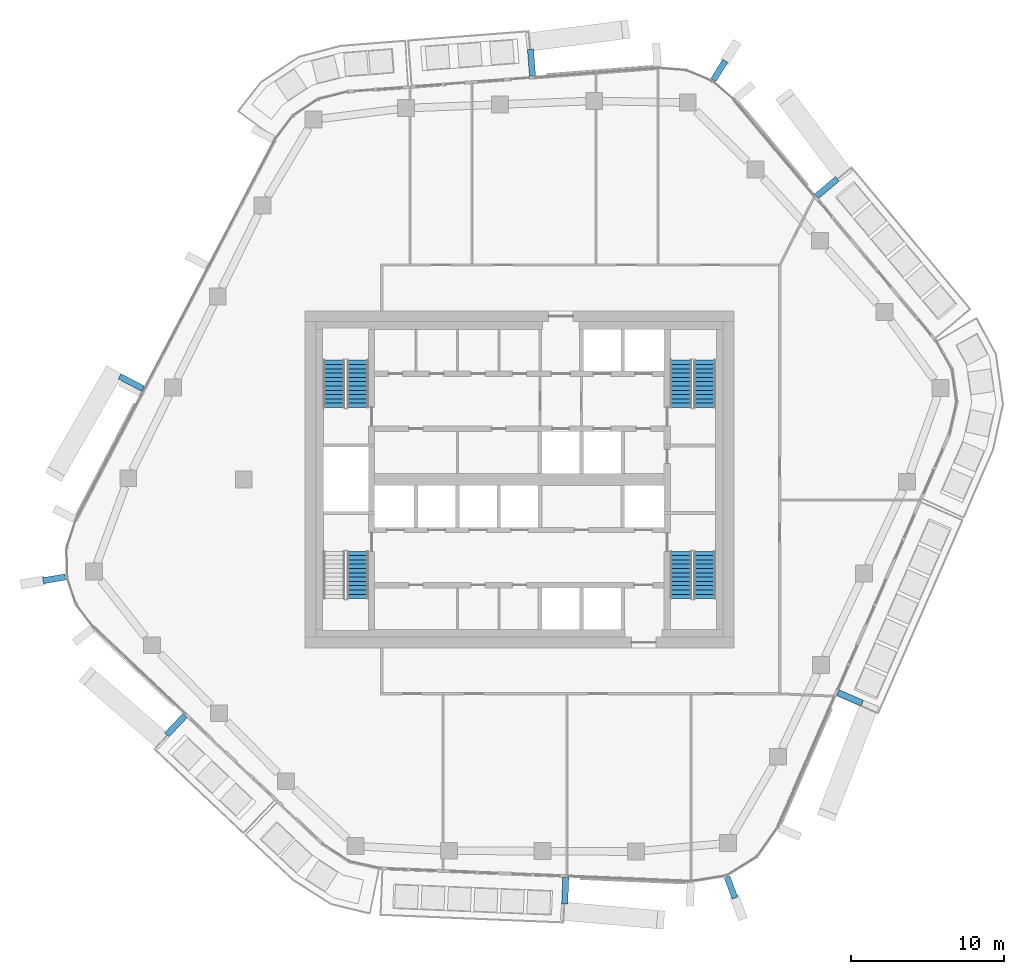
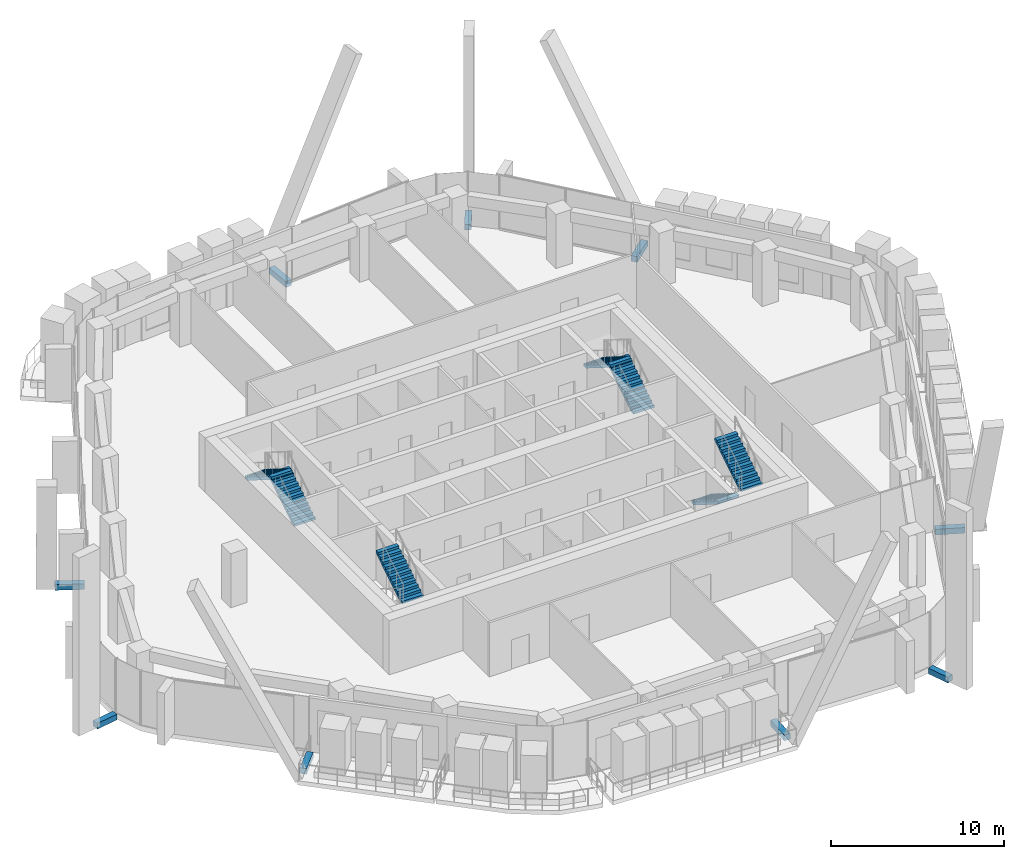
# One storey, part 14 of 20: 9 discrete accessories, 7 stair flights, 4 elements without a shape of their own.
"""IFC4 building model written with IfcOpenShell, lengths in metres."""

from ifc_helpers import new_model, si_unit, direction, frame, origin, origin_2d, place, context, subcontext, project, spatial, polyline, rectangle, outline, extrude, material, layer, layer_set, type_object, element, aggregate, save


model = new_model("IFC4")

# Units and contexts
model_context = context("Model", 3, precision=1e-05, world=origin(), true_north=direction((0.0, 1.0)))
body_context = subcontext(model_context, "Body", "Model", "MODEL_VIEW")
ifc_project = project(units=[si_unit("LENGTHUNIT", "METRE"), si_unit("AREAUNIT", "SQUARE_METRE"), si_unit("VOLUMEUNIT", "CUBIC_METRE"), si_unit("PLANEANGLEUNIT", "RADIAN"), si_unit("MASSUNIT", "GRAM", prefix="KILO")], contexts=[model_context])

# Site, building, storey
site_placement = place(None, origin())
site = spatial("IfcSite", under=ifc_project, at=site_placement, CompositionType="ELEMENT")
building_placement = place(site_placement, origin())
building = spatial("IfcBuilding", under=site, at=building_placement, Name="Dongbaek Canopy Tower", CompositionType="ELEMENT")
storey_placement = place(building_placement, frame((0.0, 0.0, 241.199951171875)))
storey = spatial("IfcBuildingStorey", under=building, at=storey_placement, Name="L50", CompositionType="ELEMENT", Elevation=241.199951171875)

# Stair, stair flights
ifc_material_1 = material(Name="Concrete C40/50", Category="concrete")
stair_type = type_object("IfcStairType", Name="Core exit stair", PredefinedType="HALF_TURN_STAIR", material=ifc_material_1)
stair_1_placement = place(storey_placement, origin())
stair_1 = element("IfcStair", 1, at=stair_1_placement, inside=storey, type_object=stair_type, Name="L50 exit stair A", PredefinedType="HALF_TURN_STAIR")
ifc_material_2 = material(Name="Concrete C40/50", Category="concrete")
ifc_layer = layer(ifc_material_2, 0.14990234375)
ifc_layer_set = layer_set([ifc_layer], Name="Core stair flight 150 waist")
stair_flight_type = type_object("IfcStairFlightType", Name="Core stair flight 150 waist", PredefinedType="STRAIGHT", material=ifc_layer_set)
stair_flight_1_placement = place(storey_placement, frame((12.10009765625, 4.699951171875, 0.0), z_axis=(0.0, 0.0, 1.0), x_axis=(0.0, 1.0, 0.0)))
stair_flight_1 = element("IfcStairFlight", 2, at=stair_flight_1_placement, type_object=stair_flight_type, Name="ST-A flight 1", NumberOfRisers=12, NumberOfTreads=11, PredefinedType="STRAIGHT", RiserHeight=0.175, TreadLength=0.28, context=body_context, shape_type="SweptSolid", body=[
    extrude(outline(polyline([(0.0, 0.0), (0.0, 0.175048828125), (0.280029296875, 0.175048828125), (0.280029296875, 0.35009765625), (0.56005859375, 0.35009765625), (0.56005859375, 0.52490234375), (0.840087890625, 0.52490234375), (0.840087890625, 0.699951171875), (1.1201171875, 0.699951171875), (1.1201171875, 0.875), (1.39990234375, 0.875), (1.39990234375, 1.050048828125), (1.679931640625, 1.050048828125), (1.679931640625, 1.22509765625), (1.9599609375, 1.22509765625), (1.9599609375, 1.39990234375), (2.239990234375, 1.39990234375), (2.239990234375, 1.574951171875), (2.52001953125, 1.574951171875), (2.52001953125, 1.75), (2.800048828125, 1.75), (2.800048828125, 1.925048828125), (3.080078125, 1.925048828125), (3.080078125, 2.10009765625), (3.080078125, 1.748291015625), (0.28271484375, 0.0), (0.0, 0.0)])), frame((0.0, 0.699951171875, 0.0), z_axis=(0.0, -1.0, 0.0), x_axis=(1.0, 0.0, 0.0)), (0.0, 0.0, 1.0), 1.39990234375),
])
stair_flight_2_placement = place(storey_placement, frame((10.550048828125, 7.780029296875, 2.10009765625), z_axis=(0.0, 0.0, 1.0), x_axis=(0.0, -1.0, 0.0)))
stair_flight_2 = element("IfcStairFlight", 3, at=stair_flight_2_placement, type_object=stair_flight_type, Name="ST-A flight 2", NumberOfRisers=12, NumberOfTreads=11, PredefinedType="STRAIGHT", RiserHeight=0.175, TreadLength=0.28, context=body_context, shape_type="SweptSolid", body=[
    extrude(outline(polyline([(0.0, 0.0), (0.0, 0.175048828125), (0.280029296875, 0.175048828125), (0.280029296875, 0.35009765625), (0.56005859375, 0.35009765625), (0.56005859375, 0.52490234375), (0.840087890625, 0.52490234375), (0.840087890625, 0.699951171875), (1.1201171875, 0.699951171875), (1.1201171875, 0.875), (1.39990234375, 0.875), (1.39990234375, 1.050048828125), (1.679931640625, 1.050048828125), (1.679931640625, 1.22509765625), (1.9599609375, 1.22509765625), (1.9599609375, 1.39990234375), (2.239990234375, 1.39990234375), (2.239990234375, 1.574951171875), (2.52001953125, 1.574951171875), (2.52001953125, 1.75), (2.800048828125, 1.75), (2.800048828125, 1.925048828125), (3.080078125, 1.925048828125), (3.080078125, 2.10009765625), (3.080078125, 1.748291015625), (0.28271484375, 0.0), (0.0, 0.0)])), frame((0.0, 0.699951171875, 0.0), z_axis=(0.0, -1.0, 0.0), x_axis=(1.0, 0.0, 0.0)), (0.0, 0.0, 1.0), 1.39990234375),
])
aggregate(stair_1, [stair_flight_1, stair_flight_2])

stair_2_placement = place(storey_placement, origin())
stair_2 = element("IfcStair", 4, at=stair_2_placement, inside=storey, type_object=stair_type, Name="L50 exit stair C", PredefinedType="HALF_TURN_STAIR")
stair_flight_3_placement = place(storey_placement, frame((-10.550048828125, 4.699951171875, 0.0), z_axis=(0.0, 0.0, 1.0), x_axis=(0.0, 1.0, 0.0)))
stair_flight_3 = element("IfcStairFlight", 5, at=stair_flight_3_placement, type_object=stair_flight_type, Name="ST-C flight 1", NumberOfRisers=12, NumberOfTreads=11, PredefinedType="STRAIGHT", RiserHeight=0.175, TreadLength=0.28, context=body_context, shape_type="SweptSolid", body=[
    extrude(outline(polyline([(0.0, 0.0), (0.0, 0.175048828125), (0.280029296875, 0.175048828125), (0.280029296875, 0.35009765625), (0.56005859375, 0.35009765625), (0.56005859375, 0.52490234375), (0.840087890625, 0.52490234375), (0.840087890625, 0.699951171875), (1.1201171875, 0.699951171875), (1.1201171875, 0.875), (1.39990234375, 0.875), (1.39990234375, 1.050048828125), (1.679931640625, 1.050048828125), (1.679931640625, 1.22509765625), (1.9599609375, 1.22509765625), (1.9599609375, 1.39990234375), (2.239990234375, 1.39990234375), (2.239990234375, 1.574951171875), (2.52001953125, 1.574951171875), (2.52001953125, 1.75), (2.800048828125, 1.75), (2.800048828125, 1.925048828125), (3.080078125, 1.925048828125), (3.080078125, 2.10009765625), (3.080078125, 1.748291015625), (0.28271484375, 0.0), (0.0, 0.0)])), frame((0.0, 0.699951171875, 0.0), z_axis=(0.0, -1.0, 0.0), x_axis=(1.0, 0.0, 0.0)), (0.0, 0.0, 1.0), 1.39990234375),
])
stair_flight_4_placement = place(storey_placement, frame((-12.10009765625, 7.780029296875, 2.10009765625), z_axis=(0.0, 0.0, 1.0), x_axis=(0.0, -1.0, 0.0)))
stair_flight_4 = element("IfcStairFlight", 6, at=stair_flight_4_placement, type_object=stair_flight_type, Name="ST-C flight 2", NumberOfRisers=12, NumberOfTreads=11, PredefinedType="STRAIGHT", RiserHeight=0.175, TreadLength=0.28, context=body_context, shape_type="SweptSolid", body=[
    extrude(outline(polyline([(0.0, 0.0), (0.0, 0.175048828125), (0.280029296875, 0.175048828125), (0.280029296875, 0.35009765625), (0.56005859375, 0.35009765625), (0.56005859375, 0.52490234375), (0.840087890625, 0.52490234375), (0.840087890625, 0.699951171875), (1.1201171875, 0.699951171875), (1.1201171875, 0.875), (1.39990234375, 0.875), (1.39990234375, 1.050048828125), (1.679931640625, 1.050048828125), (1.679931640625, 1.22509765625), (1.9599609375, 1.22509765625), (1.9599609375, 1.39990234375), (2.239990234375, 1.39990234375), (2.239990234375, 1.574951171875), (2.52001953125, 1.574951171875), (2.52001953125, 1.75), (2.800048828125, 1.75), (2.800048828125, 1.925048828125), (3.080078125, 1.925048828125), (3.080078125, 2.10009765625), (3.080078125, 1.748291015625), (0.28271484375, 0.0), (0.0, 0.0)])), frame((0.0, 0.699951171875, 0.0), z_axis=(0.0, -1.0, 0.0), x_axis=(1.0, 0.0, 0.0)), (0.0, 0.0, 1.0), 1.39990234375),
])
aggregate(stair_2, [stair_flight_3, stair_flight_4])

stair_3_placement = place(storey_placement, origin())
stair_3 = element("IfcStair", 7, at=stair_3_placement, inside=storey, type_object=stair_type, Name="L50 exit stair B", PredefinedType="HALF_TURN_STAIR")
stair_flight_5_placement = place(storey_placement, frame((10.550048828125, -4.699951171875, 0.0), z_axis=(0.0, 0.0, 1.0), x_axis=(0.0, -1.0, 0.0)))
stair_flight_5 = element("IfcStairFlight", 8, at=stair_flight_5_placement, type_object=stair_flight_type, Name="ST-B flight 1", NumberOfRisers=12, NumberOfTreads=11, PredefinedType="STRAIGHT", RiserHeight=0.175, TreadLength=0.28, context=body_context, shape_type="SweptSolid", body=[
    extrude(outline(polyline([(0.0, 0.0), (0.0, 0.175048828125), (0.280029296875, 0.175048828125), (0.280029296875, 0.35009765625), (0.56005859375, 0.35009765625), (0.56005859375, 0.52490234375), (0.840087890625, 0.52490234375), (0.840087890625, 0.699951171875), (1.1201171875, 0.699951171875), (1.1201171875, 0.875), (1.39990234375, 0.875), (1.39990234375, 1.050048828125), (1.679931640625, 1.050048828125), (1.679931640625, 1.22509765625), (1.9599609375, 1.22509765625), (1.9599609375, 1.39990234375), (2.239990234375, 1.39990234375), (2.239990234375, 1.574951171875), (2.52001953125, 1.574951171875), (2.52001953125, 1.75), (2.800048828125, 1.75), (2.800048828125, 1.925048828125), (3.080078125, 1.925048828125), (3.080078125, 2.10009765625), (3.080078125, 1.748291015625), (0.28271484375, 0.0), (0.0, 0.0)])), frame((0.0, 0.699951171875, 0.0), z_axis=(0.0, -1.0, 0.0), x_axis=(1.0, 0.0, 0.0)), (0.0, 0.0, 1.0), 1.39990234375),
])
stair_flight_6_placement = place(storey_placement, frame((12.10009765625, -7.780029296875, 2.10009765625), z_axis=(0.0, 0.0, 1.0), x_axis=(0.0, 1.0, 0.0)))
stair_flight_6 = element("IfcStairFlight", 9, at=stair_flight_6_placement, type_object=stair_flight_type, Name="ST-B flight 2", NumberOfRisers=12, NumberOfTreads=11, PredefinedType="STRAIGHT", RiserHeight=0.175, TreadLength=0.28, context=body_context, shape_type="SweptSolid", body=[
    extrude(outline(polyline([(0.0, 0.0), (0.0, 0.175048828125), (0.280029296875, 0.175048828125), (0.280029296875, 0.35009765625), (0.56005859375, 0.35009765625), (0.56005859375, 0.52490234375), (0.840087890625, 0.52490234375), (0.840087890625, 0.699951171875), (1.1201171875, 0.699951171875), (1.1201171875, 0.875), (1.39990234375, 0.875), (1.39990234375, 1.050048828125), (1.679931640625, 1.050048828125), (1.679931640625, 1.22509765625), (1.9599609375, 1.22509765625), (1.9599609375, 1.39990234375), (2.239990234375, 1.39990234375), (2.239990234375, 1.574951171875), (2.52001953125, 1.574951171875), (2.52001953125, 1.75), (2.800048828125, 1.75), (2.800048828125, 1.925048828125), (3.080078125, 1.925048828125), (3.080078125, 2.10009765625), (3.080078125, 1.748291015625), (0.28271484375, 0.0), (0.0, 0.0)])), frame((0.0, 0.699951171875, 0.0), z_axis=(0.0, -1.0, 0.0), x_axis=(1.0, 0.0, 0.0)), (0.0, 0.0, 1.0), 1.39990234375),
])
aggregate(stair_3, [stair_flight_5, stair_flight_6])

# Stair, stair flight
stair_4_placement = place(storey_placement, origin())
stair_4 = element("IfcStair", 10, at=stair_4_placement, inside=storey, type_object=stair_type, Name="L50 exit stair D", PredefinedType="HALF_TURN_STAIR")
stair_flight_7_placement = place(storey_placement, frame((-10.550048828125, -7.780029296875, 2.10009765625), z_axis=(0.0, 0.0, 1.0), x_axis=(0.0, 1.0, 0.0)))
stair_flight_7 = element("IfcStairFlight", 11, at=stair_flight_7_placement, type_object=stair_flight_type, Name="ST-D flight 2", NumberOfRisers=12, NumberOfTreads=11, PredefinedType="STRAIGHT", RiserHeight=0.175, TreadLength=0.28, context=body_context, shape_type="SweptSolid", body=[
    extrude(outline(polyline([(0.0, 0.0), (0.0, 0.175048828125), (0.280029296875, 0.175048828125), (0.280029296875, 0.35009765625), (0.56005859375, 0.35009765625), (0.56005859375, 0.52490234375), (0.840087890625, 0.52490234375), (0.840087890625, 0.699951171875), (1.1201171875, 0.699951171875), (1.1201171875, 0.875), (1.39990234375, 0.875), (1.39990234375, 1.050048828125), (1.679931640625, 1.050048828125), (1.679931640625, 1.22509765625), (1.9599609375, 1.22509765625), (1.9599609375, 1.39990234375), (2.239990234375, 1.39990234375), (2.239990234375, 1.574951171875), (2.52001953125, 1.574951171875), (2.52001953125, 1.75), (2.800048828125, 1.75), (2.800048828125, 1.925048828125), (3.080078125, 1.925048828125), (3.080078125, 2.10009765625), (3.080078125, 1.748291015625), (0.28271484375, 0.0), (0.0, 0.0)])), frame((0.0, 0.699951171875, 0.0), z_axis=(0.0, -1.0, 0.0), x_axis=(1.0, 0.0, 0.0)), (0.0, 0.0, 1.0), 1.39990234375),
])
aggregate(stair_4, [stair_flight_7])

# Discrete accessories
ifc_material_3 = material(Name="Galvanised steel S355 bracket", Category="steel")
discrete_accessory_type = type_object("IfcDiscreteAccessoryType", Name="Crease fin bracket BR3 400", PredefinedType="BRACKET", material=ifc_material_3)
discrete_accessory_1_placement = place(storey_placement, frame((20.079833984375, 19.061767578125, -0.389892578125), z_axis=(0.0, 0.0, 1.0), x_axis=(0.766375294993, 0.642393109571, 0.0)))
element("IfcDiscreteAccessory", 12, at=discrete_accessory_1_placement, inside=storey, type_object=discrete_accessory_type, Name="Crease fin bracket L50 F0", PredefinedType="BRACKET", context=body_context, shape_type="SweptSolid", body=[
    extrude(rectangle(XDim=1.75537109375, YDim=0.39990234375, at=origin_2d()), origin(), (0.0, 0.0, 1.0), 0.39990234375),
])
discrete_accessory_2_placement = place(storey_placement, frame((0.788330078125, 27.210205078125, -0.389892578125), z_axis=(0.0, 0.0, 1.0), x_axis=(-0.076518905269, 0.997068130639, 0.0)))
element("IfcDiscreteAccessory", 13, at=discrete_accessory_2_placement, inside=storey, type_object=discrete_accessory_type, Name="Crease fin bracket L50 F1", PredefinedType="BRACKET", context=body_context, shape_type="SweptSolid", body=[
    extrude(rectangle(XDim=1.748779296875, YDim=0.39990234375, at=origin_2d()), origin(), (0.0, 0.0, 1.0), 0.39990234375),
])
discrete_accessory_3_placement = place(storey_placement, frame((-25.34765625, 6.3271484375, -0.389892578125), z_axis=(0.0, 0.0, 1.0), x_axis=(-0.88601914733, 0.463648649911, 0.0)))
element("IfcDiscreteAccessory", 14, at=discrete_accessory_3_placement, inside=storey, type_object=discrete_accessory_type, Name="Crease fin bracket L50 F2", PredefinedType="BRACKET", context=body_context, shape_type="SweptSolid", body=[
    extrude(rectangle(XDim=1.71630859375, YDim=0.39990234375, at=origin_2d()), origin(), (0.0, 0.0, 1.0), 0.39990234375),
])
discrete_accessory_4_placement = place(storey_placement, frame((-22.439697265625, -16.052001953125, -0.389892578125), z_axis=(0.0, 0.0, 1.0), x_axis=(-0.687304327357, -0.726369576453, 0.0)))
element("IfcDiscreteAccessory", 15, at=discrete_accessory_4_placement, inside=storey, type_object=discrete_accessory_type, Name="Crease fin bracket L50 F3", PredefinedType="BRACKET", context=body_context, shape_type="SweptSolid", body=[
    extrude(rectangle(XDim=1.718017578125, YDim=0.39990234375, at=origin_2d()), origin(), (0.0, 0.0, 1.0), 0.39990234375),
])
discrete_accessory_5_placement = place(storey_placement, frame((2.990478515625, -26.859130859375, -0.389892578125), z_axis=(0.0, 0.0, 1.0), x_axis=(-0.041481552066, -0.999139269991, 0.0)))
element("IfcDiscreteAccessory", 16, at=discrete_accessory_5_placement, inside=storey, type_object=discrete_accessory_type, Name="Crease fin bracket L50 F4", PredefinedType="BRACKET", context=body_context, shape_type="SweptSolid", body=[
    extrude(rectangle(XDim=1.727294921875, YDim=0.39990234375, at=origin_2d()), origin(), (0.0, 0.0, 1.0), 0.39990234375),
])
discrete_accessory_6_placement = place(storey_placement, frame((21.592529296875, -14.268798828125, -0.389892578125), z_axis=(0.0, 0.0, 1.0), x_axis=(0.916386485139, -0.400294653793, 0.0)))
element("IfcDiscreteAccessory", 17, at=discrete_accessory_6_placement, inside=storey, type_object=discrete_accessory_type, Name="Crease fin bracket L50 F5", PredefinedType="BRACKET", context=body_context, shape_type="SweptSolid", body=[
    extrude(rectangle(XDim=1.72998046875, YDim=0.39990234375, at=origin_2d()), origin(), (0.0, 0.0, 1.0), 0.39990234375),
])
for number, where, z_axis, x_axis, name in (
    (18, (13.052490234375, 26.7021484375, -0.389892578125), (0.0, 0.0, 1.0), (0.528293116951, 0.849062060501, 0.0), "Corner fin bracket L50 K1"),
    (19, (-30.378173828125, -6.492431640625, -0.389892578125), (0.0, 0.0, 1.0), (-0.986343153931, -0.16470331719, 0.0), "Corner fin bracket L50 K3"),
    (20, (13.81298828125, -26.647216796875, -0.389892578125), (0.0, 0.0, 1.0), (0.351016477142, -0.936369282268, 0.0), "Corner fin bracket L50 K5"),
):
    element("IfcDiscreteAccessory", number, at=place(storey_placement, frame(where, z_axis=z_axis, x_axis=x_axis)), inside=storey, type_object=discrete_accessory_type, Name=name, PredefinedType="BRACKET", context=body_context, shape_type="SweptSolid", body=[
        extrude(rectangle(XDim=1.469970703125, YDim=0.39990234375, at=origin_2d()), origin(), (0.0, 0.0, 1.0), 0.39990234375),
    ])

save(model, "model.ifc")
